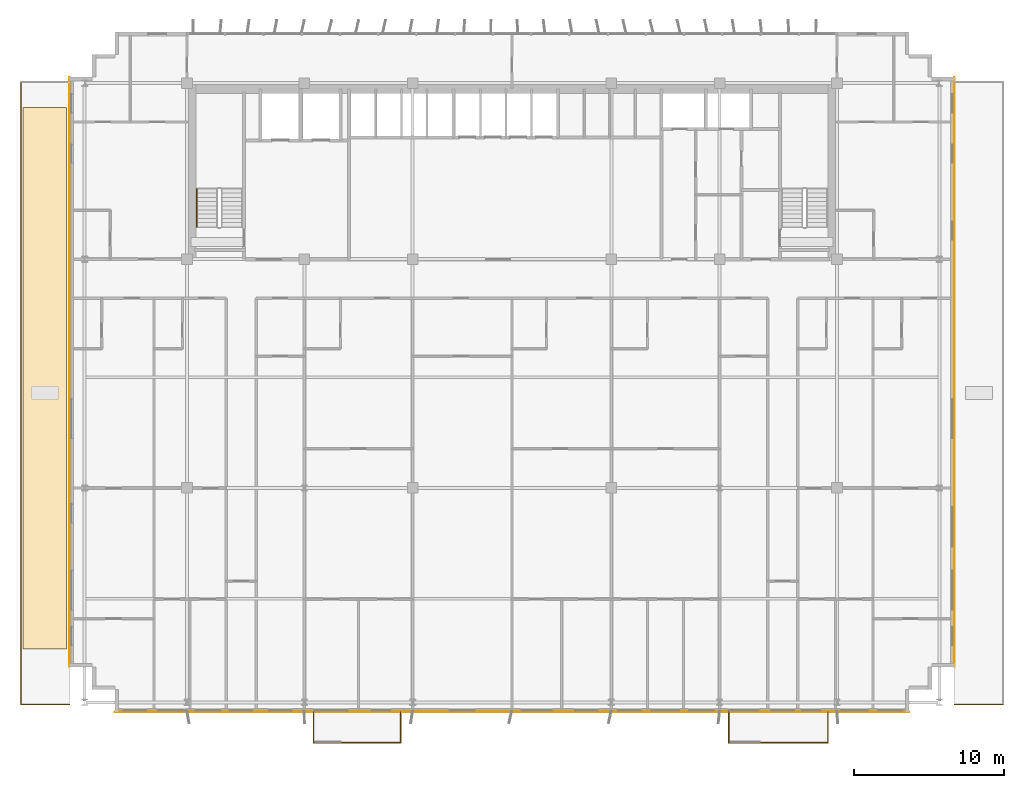
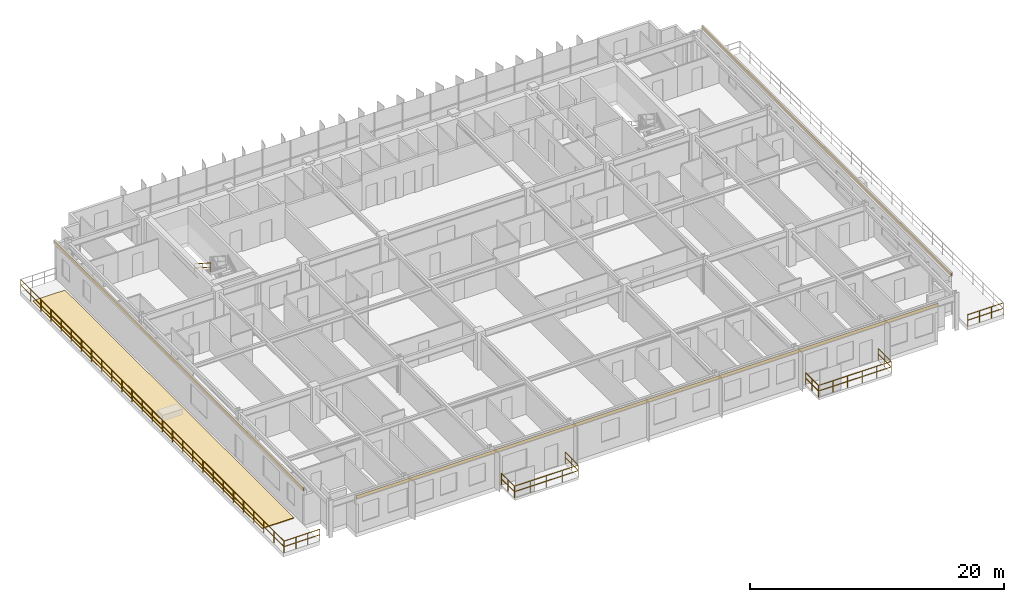
# One storey, part 20 of 22: 10 railings, 4 coverings.
"""IFC4 building model written with IfcOpenShell, lengths in metres."""

from ifc_helpers import new_model, si_unit, direction, frame, origin, origin_2d, place, context, subcontext, project, spatial, polyline, rectangle, outline, extrude, source, transform, mapped, material, layer, layer_set, type_object, element, save


model = new_model("IFC4")

# Units and contexts
model_context = context("Model", 3, precision=1e-05, world=origin(), true_north=direction((0.0, 1.0)))
body_context = subcontext(model_context, "Body", "Model", "MODEL_VIEW")
ifc_project = project(units=[si_unit("LENGTHUNIT", "METRE"), si_unit("AREAUNIT", "SQUARE_METRE"), si_unit("VOLUMEUNIT", "CUBIC_METRE"), si_unit("PLANEANGLEUNIT", "RADIAN"), si_unit("MASSUNIT", "GRAM", prefix="KILO")], contexts=[model_context])

# Site, building, storey
site_placement = place(None, origin())
site = spatial("IfcSite", under=ifc_project, at=site_placement, CompositionType="ELEMENT")
building_placement = place(site_placement, origin())
building = spatial("IfcBuilding", under=site, at=building_placement, Name="Trelvane Seafront Commons", CompositionType="ELEMENT")
storey_placement = place(building_placement, frame((0.0, 0.0, 132.10009765625)))
storey = spatial("IfcBuildingStorey", under=building, at=storey_placement, Name="L34", CompositionType="ELEMENT", Elevation=132.10009765625)

# Covering
ifc_material_1 = material(Name="Polymer-Modified Bitumen Membrane")
ifc_layer_1 = layer(ifc_material_1, 0.080078125, Name="ARCH-COV-ROOF80")
ifc_layer_set_1 = layer_set([ifc_layer_1], Name="Polymer-Modified Bitumen Membrane")
covering_type_1 = type_object("IfcCoveringType", Name="ARCH-COV-ROOF80", PredefinedType="ROOFING", material=ifc_layer_set_1)
covering_1_placement = place(storey_placement, origin())
element("IfcCovering", 1, at=covering_1_placement, inside=storey, type_object=covering_type_1, Name="COV-ROOF-L34-05", PredefinedType="ROOFING", context=body_context, shape_type="SweptSolid", body=[
    extrude(outline(polyline([(4.699951171875, 7.5), (7.60009765625, 7.5), (7.60009765625, 43.5), (4.699951171875, 43.5), (4.699951171875, 7.5)])), origin(), (0.0, 0.0, 1.0), 0.079833984375),
])

# Railings
ifc_material_2 = material(Name="Stainless steel balustrade", Category="steel")
railing_type_1 = type_object("IfcRailingType", Name="ARCH-RAIL-BAL1150", PredefinedType="BALUSTRADE", material=ifc_material_2)
railing_1_placement = place(storey_placement, frame((7.800048828125, 3.800048828125, 0.0)))
element("IfcRailing", 2, at=railing_1_placement, inside=storey, type_object=railing_type_1, Name="RL-L34-TR0-01", PredefinedType="BALUSTRADE", context=body_context, shape_type="SweptSolid", body=[
    extrude(rectangle(XDim=0.048095703125, YDim=0.048095703125, at=origin_2d()), frame((0.0, 0.0, 1.1259765625), z_axis=(-1.0, 0.0, 0.0), x_axis=(0.0, -1.0, 0.0)), (0.0, 0.0, 1.0), 3.239990234375),
    extrude(rectangle(XDim=0.048095703125, YDim=0.048095703125, at=origin_2d()), frame((0.0, 0.0, 0.597900390625), z_axis=(-1.0, 0.0, 0.0), x_axis=(0.0, -1.0, 0.0)), (0.0, 0.0, 1.0), 3.239990234375),
    extrude(rectangle(XDim=0.0419921875, YDim=0.0419921875, at=origin_2d()), origin(), (0.0, 0.0, 1.0), 1.1259765625),
    extrude(rectangle(XDim=0.0419921875, YDim=0.0419921875, at=origin_2d()), frame((-1.080078125, 0.0, 0.0)), (0.0, 0.0, 1.0), 1.1259765625),
    extrude(rectangle(XDim=0.0419921875, YDim=0.0419921875, at=origin_2d()), frame((-2.159912109375, 0.0, 0.0)), (0.0, 0.0, 1.0), 1.1259765625),
    extrude(rectangle(XDim=0.0419921875, YDim=0.0419921875, at=origin_2d()), frame((-3.239990234375, 0.0, 0.0)), (0.0, 0.0, 1.0), 1.1259765625),
])
railing_2_placement = place(storey_placement, frame((4.56005859375, 3.800048828125, 0.0)))
element("IfcRailing", 3, at=railing_2_placement, inside=storey, type_object=railing_type_1, Name="RL-L34-TR0-02", PredefinedType="BALUSTRADE", context=body_context, shape_type="SweptSolid", body=[
    extrude(rectangle(XDim=0.048095703125, YDim=0.048095703125, at=origin_2d()), frame((0.0, 0.0, 1.1259765625), z_axis=(0.0, 1.0, 0.0), x_axis=(-1.0, 0.0, 0.0)), (0.0, 0.0, 1.0), 41.39990234375),
    extrude(rectangle(XDim=0.048095703125, YDim=0.048095703125, at=origin_2d()), frame((0.0, 0.0, 0.597900390625), z_axis=(0.0, 1.0, 0.0), x_axis=(-1.0, 0.0, 0.0)), (0.0, 0.0, 1.0), 41.39990234375),
    extrude(rectangle(XDim=0.0419921875, YDim=0.0419921875, at=origin_2d()), origin(), (0.0, 0.0, 1.0), 1.1259765625),
    extrude(rectangle(XDim=0.0419921875, YDim=0.0419921875, at=origin_2d()), frame((0.0, 1.59228515625, 0.0)), (0.0, 0.0, 1.0), 1.1259765625),
    extrude(rectangle(XDim=0.0419921875, YDim=0.0419921875, at=origin_2d()), frame((0.0, 3.1845703125, 0.0)), (0.0, 0.0, 1.0), 1.1259765625),
    extrude(rectangle(XDim=0.0419921875, YDim=0.0419921875, at=origin_2d()), frame((0.0, 4.77685546875, 0.0)), (0.0, 0.0, 1.0), 1.1259765625),
    extrude(rectangle(XDim=0.0419921875, YDim=0.0419921875, at=origin_2d()), frame((0.0, 6.369140625, 0.0)), (0.0, 0.0, 1.0), 1.1259765625),
    extrude(rectangle(XDim=0.0419921875, YDim=0.0419921875, at=origin_2d()), frame((0.0, 7.96142578125, 0.0)), (0.0, 0.0, 1.0), 1.1259765625),
    extrude(rectangle(XDim=0.0419921875, YDim=0.0419921875, at=origin_2d()), frame((0.0, 9.5537109375, 0.0)), (0.0, 0.0, 1.0), 1.1259765625),
    extrude(rectangle(XDim=0.0419921875, YDim=0.0419921875, at=origin_2d()), frame((0.0, 11.146240234375, 0.0)), (0.0, 0.0, 1.0), 1.1259765625),
    extrude(rectangle(XDim=0.0419921875, YDim=0.0419921875, at=origin_2d()), frame((0.0, 12.738525390625, 0.0)), (0.0, 0.0, 1.0), 1.1259765625),
    extrude(rectangle(XDim=0.0419921875, YDim=0.0419921875, at=origin_2d()), frame((0.0, 14.330810546875, 0.0)), (0.0, 0.0, 1.0), 1.1259765625),
    extrude(rectangle(XDim=0.0419921875, YDim=0.0419921875, at=origin_2d()), frame((0.0, 15.923095703125, 0.0)), (0.0, 0.0, 1.0), 1.1259765625),
    extrude(rectangle(XDim=0.0419921875, YDim=0.0419921875, at=origin_2d()), frame((0.0, 17.515380859375, 0.0)), (0.0, 0.0, 1.0), 1.1259765625),
    extrude(rectangle(XDim=0.0419921875, YDim=0.0419921875, at=origin_2d()), frame((0.0, 19.107666015625, 0.0)), (0.0, 0.0, 1.0), 1.1259765625),
    extrude(rectangle(XDim=0.0419921875, YDim=0.0419921875, at=origin_2d()), frame((0.0, 20.699951171875, 0.0)), (0.0, 0.0, 1.0), 1.1259765625),
    extrude(rectangle(XDim=0.0419921875, YDim=0.0419921875, at=origin_2d()), frame((0.0, 22.292236328125, 0.0)), (0.0, 0.0, 1.0), 1.1259765625),
    extrude(rectangle(XDim=0.0419921875, YDim=0.0419921875, at=origin_2d()), frame((0.0, 23.884521484375, 0.0)), (0.0, 0.0, 1.0), 1.1259765625),
    extrude(rectangle(XDim=0.0419921875, YDim=0.0419921875, at=origin_2d()), frame((0.0, 25.476806640625, 0.0)), (0.0, 0.0, 1.0), 1.1259765625),
    extrude(rectangle(XDim=0.0419921875, YDim=0.0419921875, at=origin_2d()), frame((0.0, 27.069091796875, 0.0)), (0.0, 0.0, 1.0), 1.1259765625),
    extrude(rectangle(XDim=0.0419921875, YDim=0.0419921875, at=origin_2d()), frame((0.0, 28.661376953125, 0.0)), (0.0, 0.0, 1.0), 1.1259765625),
    extrude(rectangle(XDim=0.0419921875, YDim=0.0419921875, at=origin_2d()), frame((0.0, 30.253662109375, 0.0)), (0.0, 0.0, 1.0), 1.1259765625),
    extrude(rectangle(XDim=0.0419921875, YDim=0.0419921875, at=origin_2d()), frame((0.0, 31.84619140625, 0.0)), (0.0, 0.0, 1.0), 1.1259765625),
    extrude(rectangle(XDim=0.0419921875, YDim=0.0419921875, at=origin_2d()), frame((0.0, 33.4384765625, 0.0)), (0.0, 0.0, 1.0), 1.1259765625),
    extrude(rectangle(XDim=0.0419921875, YDim=0.0419921875, at=origin_2d()), frame((0.0, 35.03076171875, 0.0)), (0.0, 0.0, 1.0), 1.1259765625),
    extrude(rectangle(XDim=0.0419921875, YDim=0.0419921875, at=origin_2d()), frame((0.0, 36.623046875, 0.0)), (0.0, 0.0, 1.0), 1.1259765625),
    extrude(rectangle(XDim=0.0419921875, YDim=0.0419921875, at=origin_2d()), frame((0.0, 38.21533203125, 0.0)), (0.0, 0.0, 1.0), 1.1259765625),
    extrude(rectangle(XDim=0.0419921875, YDim=0.0419921875, at=origin_2d()), frame((0.0, 39.8076171875, 0.0)), (0.0, 0.0, 1.0), 1.1259765625),
    extrude(rectangle(XDim=0.0419921875, YDim=0.0419921875, at=origin_2d()), frame((0.0, 41.39990234375, 0.0)), (0.0, 0.0, 1.0), 1.1259765625),
])
railing_3_placement = place(storey_placement, frame((66.60009765625, 3.800048828125, 0.0)))
element("IfcRailing", 4, at=railing_3_placement, inside=storey, type_object=railing_type_1, Name="RL-L34-TR1-01", PredefinedType="BALUSTRADE", context=body_context, shape_type="SweptSolid", body=[
    extrude(rectangle(XDim=0.048095703125, YDim=0.048095703125, at=origin_2d()), frame((0.0, 0.0, 1.1259765625), z_axis=(1.0, 0.0, 0.0), x_axis=(0.0, 1.0, 0.0)), (0.0, 0.0, 1.0), 3.239990234375),
    extrude(rectangle(XDim=0.048095703125, YDim=0.048095703125, at=origin_2d()), frame((0.0, 0.0, 0.597900390625), z_axis=(1.0, 0.0, 0.0), x_axis=(0.0, 1.0, 0.0)), (0.0, 0.0, 1.0), 3.239990234375),
    extrude(rectangle(XDim=0.0419921875, YDim=0.0419921875, at=origin_2d()), origin(), (0.0, 0.0, 1.0), 1.1259765625),
    extrude(rectangle(XDim=0.0419921875, YDim=0.0419921875, at=origin_2d()), frame((1.080078125, 0.0, 0.0)), (0.0, 0.0, 1.0), 1.1259765625),
    extrude(rectangle(XDim=0.0419921875, YDim=0.0419921875, at=origin_2d()), frame((2.159912109375, 0.0, 0.0)), (0.0, 0.0, 1.0), 1.1259765625),
    extrude(rectangle(XDim=0.0419921875, YDim=0.0419921875, at=origin_2d()), frame((3.239990234375, 0.0, 0.0)), (0.0, 0.0, 1.0), 1.1259765625),
])
railing_4_placement = place(storey_placement, frame((24.0, 3.300048828125, 0.0)))
element("IfcRailing", 5, at=railing_4_placement, inside=storey, type_object=railing_type_1, Name="RL-L34-BAL0-01", PredefinedType="BALUSTRADE", context=body_context, shape_type="SweptSolid", body=[
    extrude(rectangle(XDim=0.048095703125, YDim=0.048095703125, at=origin_2d()), frame((0.0, 0.0, 1.1259765625), z_axis=(0.0, -1.0, 0.0), x_axis=(1.0, 0.0, 0.0)), (0.0, 0.0, 1.0), 2.0400390625),
    extrude(rectangle(XDim=0.048095703125, YDim=0.048095703125, at=origin_2d()), frame((0.0, 0.0, 0.597900390625), z_axis=(0.0, -1.0, 0.0), x_axis=(1.0, 0.0, 0.0)), (0.0, 0.0, 1.0), 2.0400390625),
    extrude(rectangle(XDim=0.0419921875, YDim=0.0419921875, at=origin_2d()), origin(), (0.0, 0.0, 1.0), 1.1259765625),
    extrude(rectangle(XDim=0.0419921875, YDim=0.0419921875, at=origin_2d()), frame((0.0, -1.02001953125, 0.0)), (0.0, 0.0, 1.0), 1.1259765625),
    extrude(rectangle(XDim=0.0419921875, YDim=0.0419921875, at=origin_2d()), frame((0.0, -2.0400390625, 0.0)), (0.0, 0.0, 1.0), 1.1259765625),
])
railing_5_placement = place(storey_placement, frame((24.0, 1.260009765625, 0.0)))
element("IfcRailing", 6, at=railing_5_placement, inside=storey, type_object=railing_type_1, Name="RL-L34-BAL0-02", PredefinedType="BALUSTRADE", context=body_context, shape_type="SweptSolid", body=[
    extrude(rectangle(XDim=0.048095703125, YDim=0.048095703125, at=origin_2d()), frame((0.0, 0.0, 1.1259765625), z_axis=(1.0, 0.0, 0.0), x_axis=(0.0, 1.0, 0.0)), (0.0, 0.0, 1.0), 5.800048828125),
    extrude(rectangle(XDim=0.048095703125, YDim=0.048095703125, at=origin_2d()), frame((0.0, 0.0, 0.597900390625), z_axis=(1.0, 0.0, 0.0), x_axis=(0.0, 1.0, 0.0)), (0.0, 0.0, 1.0), 5.800048828125),
    extrude(rectangle(XDim=0.0419921875, YDim=0.0419921875, at=origin_2d()), origin(), (0.0, 0.0, 1.0), 1.1259765625),
    extrude(rectangle(XDim=0.0419921875, YDim=0.0419921875, at=origin_2d()), frame((1.449951171875, 0.0, 0.0)), (0.0, 0.0, 1.0), 1.1259765625),
    extrude(rectangle(XDim=0.0419921875, YDim=0.0419921875, at=origin_2d()), frame((2.89990234375, 0.0, 0.0)), (0.0, 0.0, 1.0), 1.1259765625),
    extrude(rectangle(XDim=0.0419921875, YDim=0.0419921875, at=origin_2d()), frame((4.35009765625, 0.0, 0.0)), (0.0, 0.0, 1.0), 1.1259765625),
    extrude(rectangle(XDim=0.0419921875, YDim=0.0419921875, at=origin_2d()), frame((5.800048828125, 0.0, 0.0)), (0.0, 0.0, 1.0), 1.1259765625),
])
railing_6_placement = place(storey_placement, frame((29.800048828125, 1.260009765625, 0.0)))
element("IfcRailing", 7, at=railing_6_placement, inside=storey, type_object=railing_type_1, Name="RL-L34-BAL0-03", PredefinedType="BALUSTRADE", context=body_context, shape_type="SweptSolid", body=[
    extrude(rectangle(XDim=0.048095703125, YDim=0.048095703125, at=origin_2d()), frame((0.0, 0.0, 1.1259765625), z_axis=(0.0, 1.0, 0.0), x_axis=(-1.0, 0.0, 0.0)), (0.0, 0.0, 1.0), 2.0400390625),
    extrude(rectangle(XDim=0.048095703125, YDim=0.048095703125, at=origin_2d()), frame((0.0, 0.0, 0.597900390625), z_axis=(0.0, 1.0, 0.0), x_axis=(-1.0, 0.0, 0.0)), (0.0, 0.0, 1.0), 2.0400390625),
    extrude(rectangle(XDim=0.0419921875, YDim=0.0419921875, at=origin_2d()), origin(), (0.0, 0.0, 1.0), 1.1259765625),
    extrude(rectangle(XDim=0.0419921875, YDim=0.0419921875, at=origin_2d()), frame((0.0, 1.02001953125, 0.0)), (0.0, 0.0, 1.0), 1.1259765625),
    extrude(rectangle(XDim=0.0419921875, YDim=0.0419921875, at=origin_2d()), frame((0.0, 2.0400390625, 0.0)), (0.0, 0.0, 1.0), 1.1259765625),
])
railing_7_placement = place(storey_placement, frame((51.60009765625, 3.300048828125, 0.0)))
element("IfcRailing", 8, at=railing_7_placement, inside=storey, type_object=railing_type_1, Name="RL-L34-BAL1-01", PredefinedType="BALUSTRADE", context=body_context, shape_type="SweptSolid", body=[
    extrude(rectangle(XDim=0.048095703125, YDim=0.048095703125, at=origin_2d()), frame((0.0, 0.0, 1.1259765625), z_axis=(0.0, -1.0, 0.0), x_axis=(1.0, 0.0, 0.0)), (0.0, 0.0, 1.0), 2.0400390625),
    extrude(rectangle(XDim=0.048095703125, YDim=0.048095703125, at=origin_2d()), frame((0.0, 0.0, 0.597900390625), z_axis=(0.0, -1.0, 0.0), x_axis=(1.0, 0.0, 0.0)), (0.0, 0.0, 1.0), 2.0400390625),
    extrude(rectangle(XDim=0.0419921875, YDim=0.0419921875, at=origin_2d()), origin(), (0.0, 0.0, 1.0), 1.1259765625),
    extrude(rectangle(XDim=0.0419921875, YDim=0.0419921875, at=origin_2d()), frame((0.0, -1.02001953125, 0.0)), (0.0, 0.0, 1.0), 1.1259765625),
    extrude(rectangle(XDim=0.0419921875, YDim=0.0419921875, at=origin_2d()), frame((0.0, -2.0400390625, 0.0)), (0.0, 0.0, 1.0), 1.1259765625),
])
railing_8_placement = place(storey_placement, frame((51.60009765625, 1.260009765625, 0.0)))
element("IfcRailing", 9, at=railing_8_placement, inside=storey, type_object=railing_type_1, Name="RL-L34-BAL1-02", PredefinedType="BALUSTRADE", context=body_context, shape_type="SweptSolid", body=[
    extrude(rectangle(XDim=0.048095703125, YDim=0.048095703125, at=origin_2d()), frame((0.0, 0.0, 1.1259765625), z_axis=(1.0, 0.0, 0.0), x_axis=(0.0, 1.0, 0.0)), (0.0, 0.0, 1.0), 6.599853515625),
    extrude(rectangle(XDim=0.048095703125, YDim=0.048095703125, at=origin_2d()), frame((0.0, 0.0, 0.597900390625), z_axis=(1.0, 0.0, 0.0), x_axis=(0.0, 1.0, 0.0)), (0.0, 0.0, 1.0), 6.599853515625),
    extrude(rectangle(XDim=0.0419921875, YDim=0.0419921875, at=origin_2d()), origin(), (0.0, 0.0, 1.0), 1.1259765625),
    extrude(rectangle(XDim=0.0419921875, YDim=0.0419921875, at=origin_2d()), frame((1.320068359375, 0.0, 0.0)), (0.0, 0.0, 1.0), 1.1259765625),
    extrude(rectangle(XDim=0.0419921875, YDim=0.0419921875, at=origin_2d()), frame((2.639892578125, 0.0, 0.0)), (0.0, 0.0, 1.0), 1.1259765625),
    extrude(rectangle(XDim=0.0419921875, YDim=0.0419921875, at=origin_2d()), frame((3.9599609375, 0.0, 0.0)), (0.0, 0.0, 1.0), 1.1259765625),
    extrude(rectangle(XDim=0.0419921875, YDim=0.0419921875, at=origin_2d()), frame((5.27978515625, 0.0, 0.0)), (0.0, 0.0, 1.0), 1.1259765625),
    extrude(rectangle(XDim=0.0419921875, YDim=0.0419921875, at=origin_2d()), frame((6.599853515625, 0.0, 0.0)), (0.0, 0.0, 1.0), 1.1259765625),
])
railing_9_placement = place(storey_placement, frame((58.199951171875, 1.260009765625, 0.0)))
element("IfcRailing", 10, at=railing_9_placement, inside=storey, type_object=railing_type_1, Name="RL-L34-BAL1-03", PredefinedType="BALUSTRADE", context=body_context, shape_type="SweptSolid", body=[
    extrude(rectangle(XDim=0.048095703125, YDim=0.048095703125, at=origin_2d()), frame((0.0, 0.0, 1.1259765625), z_axis=(0.0, 1.0, 0.0), x_axis=(-1.0, 0.0, 0.0)), (0.0, 0.0, 1.0), 2.0400390625),
    extrude(rectangle(XDim=0.048095703125, YDim=0.048095703125, at=origin_2d()), frame((0.0, 0.0, 0.597900390625), z_axis=(0.0, 1.0, 0.0), x_axis=(-1.0, 0.0, 0.0)), (0.0, 0.0, 1.0), 2.0400390625),
    extrude(rectangle(XDim=0.0419921875, YDim=0.0419921875, at=origin_2d()), origin(), (0.0, 0.0, 1.0), 1.1259765625),
    extrude(rectangle(XDim=0.0419921875, YDim=0.0419921875, at=origin_2d()), frame((0.0, 1.02001953125, 0.0)), (0.0, 0.0, 1.0), 1.1259765625),
    extrude(rectangle(XDim=0.0419921875, YDim=0.0419921875, at=origin_2d()), frame((0.0, 2.0400390625, 0.0)), (0.0, 0.0, 1.0), 1.1259765625),
])
railing_type_2 = type_object("IfcRailingType", Name="ARCH-SRL-HAND", PredefinedType="HANDRAIL", material=ifc_material_2)
railing_10_placement = place(storey_placement, frame((16.25, 38.070068359375, 1.97998046875)))
element("IfcRailing", 11, at=railing_10_placement, inside=storey, type_object=railing_type_2, Name="L34 ST-1 stair handrail 2", PredefinedType="HANDRAIL", context=body_context, shape_type="SweptSolid", body=[
    extrude(rectangle(XDim=0.048095703125, YDim=0.048095703125, at=origin_2d()), frame((0.0, 0.0, 0.8759765625), z_axis=(0.0, -0.841199657755, 0.540724639528), x_axis=(1.0, 0.0, 0.0)), (0.0, 0.0, 1.0), 2.995849609375),
    extrude(rectangle(XDim=0.048095703125, YDim=0.048095703125, at=origin_2d()), frame((0.0, 0.0, 0.468017578125), z_axis=(0.0, -0.841199657755, 0.540724639528), x_axis=(1.0, 0.0, 0.0)), (0.0, 0.0, 1.0), 2.995849609375),
    extrude(rectangle(XDim=0.0419921875, YDim=0.0419921875, at=origin_2d()), origin(), (0.0, 0.0, 1.0), 0.8759765625),
    extrude(rectangle(XDim=0.0419921875, YDim=0.0419921875, at=origin_2d()), frame((0.0, -1.260009765625, 0.81005859375)), (0.0, 0.0, 1.0), 0.8759765625),
    extrude(rectangle(XDim=0.0419921875, YDim=0.0419921875, at=origin_2d()), frame((0.0, -2.52001953125, 1.619873046875)), (0.0, 0.0, 1.0), 0.8759765625),
])

# Coverings
ifc_material_3 = material(Name="Anodised pale-silver aluminium", Category="aluminium")
ifc_layer_2 = layer(ifc_material_3, 0.034912109375, Name="ARCH-COV-CLAD35")
ifc_layer_set_2 = layer_set([ifc_layer_2], Name="Anodised pale-silver aluminium")
covering_type_2 = type_object("IfcCoveringType", Name="ARCH-COV-CLAD35", PredefinedType="CLADDING", material=ifc_layer_set_2)
shared_shape_1 = source(origin(), body_context, "Body", "SweptSolid", [
    extrude(rectangle(XDim=39.199951171875, YDim=0.034912109375, at=origin_2d()), origin(), (0.0, 0.0, 1.0), 0.2900390625),
])
for number, where, z_axis, x_axis, name in (
    (12, (7.800048828125, 25.89990234375, 3.309814453125), (0.0, 0.0, 1.0), (0.0, 1.0, 0.0), "CLD-L34-00143"),
    (13, (66.60009765625, 25.89990234375, 3.309814453125), (0.0, 0.0, 1.0), (0.0, -1.0, 0.0), "CLD-L34-00144"),
):
    element("IfcCovering", number, at=place(storey_placement, frame(where, z_axis=z_axis, x_axis=x_axis)), inside=storey, type_object=covering_type_2, Name=name, PredefinedType="CLADDING", context=body_context, shape_type="MappedRepresentation", body=[
        mapped(shared_shape_1, transform((0.0, 0.0, 0.0), x_axis=(1.0, 0.0, 0.0), y_axis=(0.0, 1.0, 0.0), z_axis=(0.0, 0.0, 1.0), scale=1.0)),
    ])
shared_shape_2 = source(origin(), body_context, "Body", "SweptSolid", [
    extrude(rectangle(XDim=52.800048828125, YDim=0.034912109375, at=origin_2d()), origin(), (0.0, 0.0, 1.0), 0.2900390625),
])
covering_2_placement = place(storey_placement, frame((37.199951171875, 3.300048828125, 3.309814453125), z_axis=(0.0, 0.0, 1.0), x_axis=(-1.0, 0.0, 0.0)))
element("IfcCovering", 14, at=covering_2_placement, inside=storey, type_object=covering_type_2, Name="CLD-L34-00145", PredefinedType="CLADDING", context=body_context, shape_type="MappedRepresentation", body=[
    mapped(shared_shape_2, transform((0.0, 0.0, 0.0), x_axis=(1.0, 0.0, 0.0), y_axis=(0.0, 1.0, 0.0), z_axis=(0.0, 0.0, 1.0), scale=1.0)),
])

save(model, "model.ifc")
